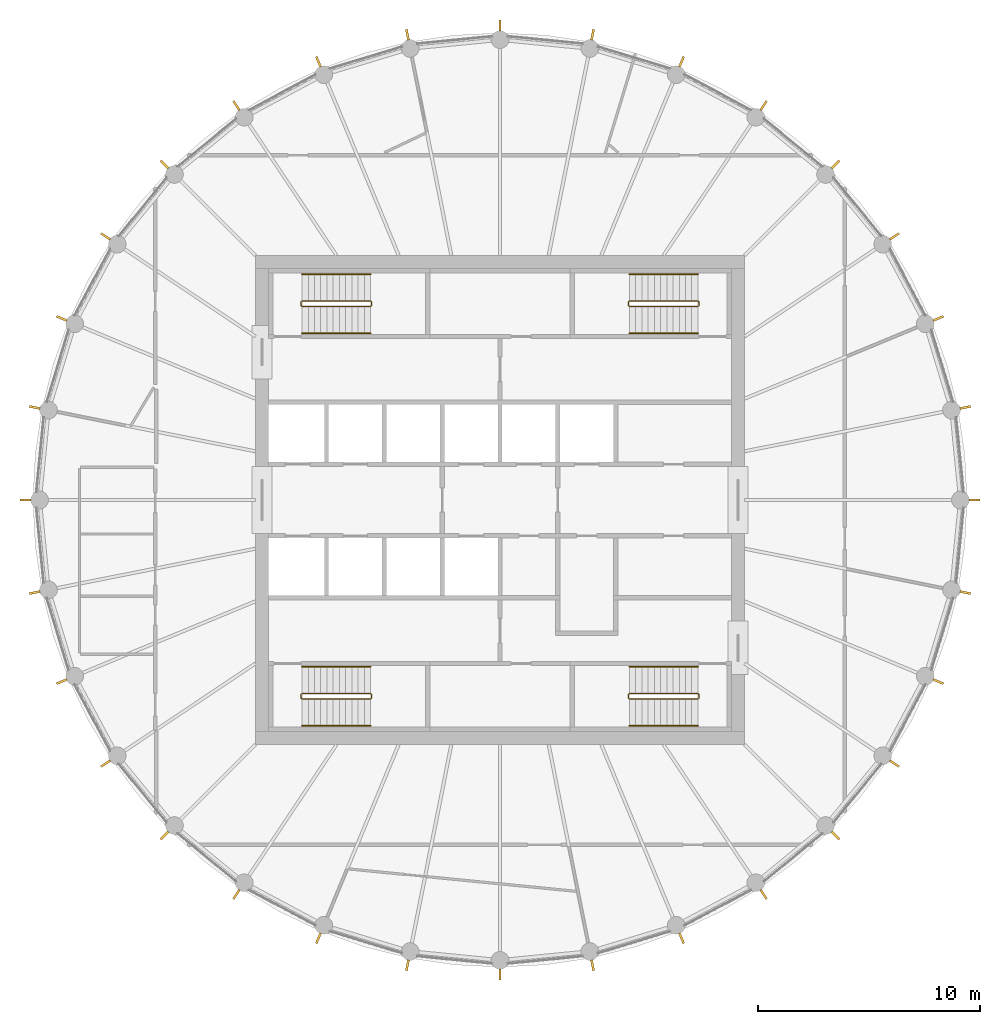
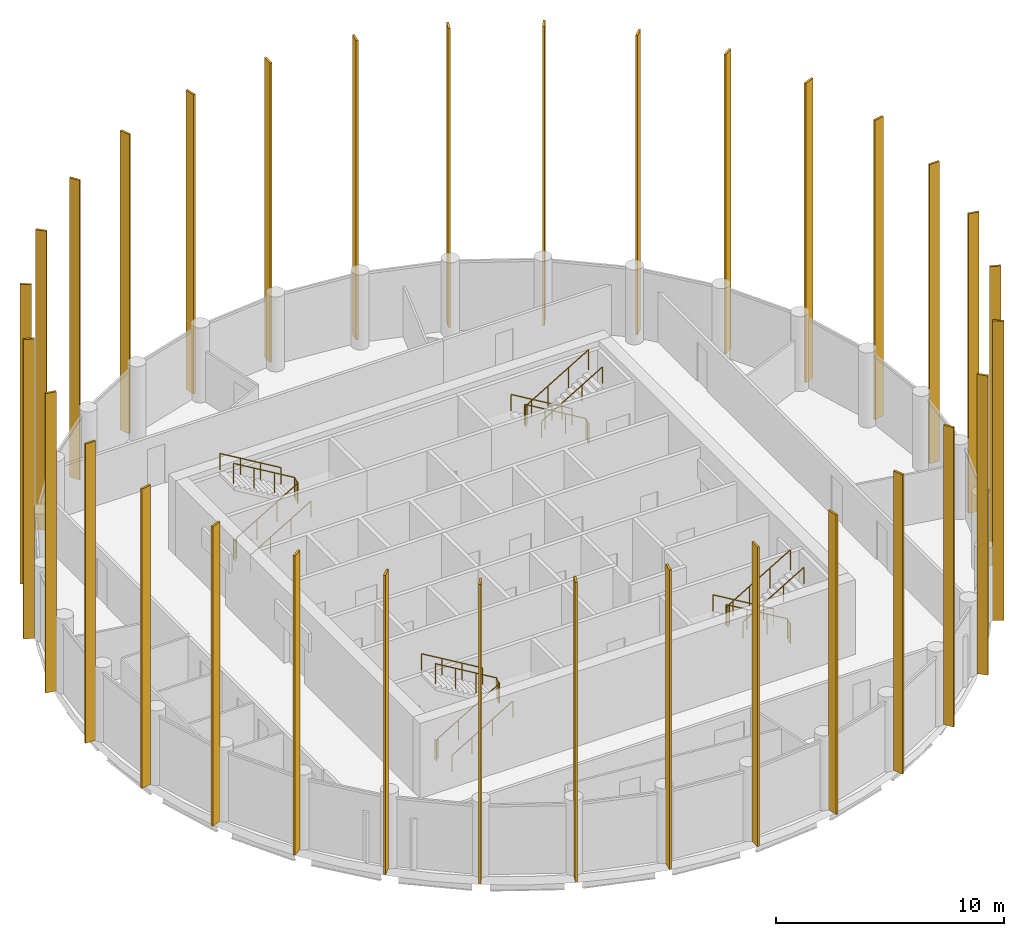
# One storey, part 7 of 7: 32 shading devices, 12 railings.
"""IFC4 building model written with IfcOpenShell, lengths in metres."""

from ifc_helpers import new_model, si_unit, direction, frame, origin, origin_2d, place, context, subcontext, project, spatial, rectangle, circle, extrude, material, material_profile, profile_set, type_object, element, save


model = new_model("IFC4")

# Units and contexts
model_context = context("Model", 3, precision=1e-05, world=origin(), true_north=direction((0.0, 1.0)))
body_context = subcontext(model_context, "Body", "Model", "MODEL_VIEW")
ifc_project = project(units=[si_unit("LENGTHUNIT", "METRE"), si_unit("AREAUNIT", "SQUARE_METRE"), si_unit("VOLUMEUNIT", "CUBIC_METRE"), si_unit("PLANEANGLEUNIT", "RADIAN"), si_unit("MASSUNIT", "GRAM", prefix="KILO")], contexts=[model_context])

# Site, building, storey
site_placement = place(None, origin())
site = spatial("IfcSite", under=ifc_project, at=site_placement, CompositionType="ELEMENT")
building_placement = place(site_placement, origin())
building = spatial("IfcBuilding", under=site, at=building_placement, Name="Corvane Civic Tower", CompositionType="ELEMENT")
storey_placement = place(building_placement, frame((0.0, 0.0, 324.5)))
storey = spatial("IfcBuildingStorey", under=building, at=storey_placement, Name="L77", CompositionType="ELEMENT", Elevation=324.5)

# Railings
ifc_material_1 = material(Name="Steel ASTM A572 Gr 50", Category="steel")
railing_type_1 = type_object("IfcRailingType", Name="ST-GUARD-1100", PredefinedType="GUARDRAIL", material=ifc_material_1)
railing_1_placement = place(storey_placement, frame((8.949951171875, 8.75, 0.0)))
element("IfcRailing", 1, at=railing_1_placement, inside=storey, type_object=railing_type_1, Name="L77 ST1 stair guard 1", PredefinedType="GUARDRAIL", context=body_context, shape_type="SweptSolid", body=[
    extrude(circle(Radius=0.02392578125, at=origin_2d()), frame((0.0, 0.0, 1.076171875), z_axis=(0.0, 1.0, 0.0), x_axis=(-1.0, 0.0, 0.0)), (0.0, 0.0, 1.0), 0.14990234375),
    extrude(circle(Radius=0.02392578125, at=origin_2d()), frame((0.0, 0.14990234375, 1.076171875), z_axis=(-0.27628659633, 0.27628659633, 0.920506074601), x_axis=(-0.707106781187, -0.707106781187, 0.0)), (0.0, 0.0, 1.0), 0.18115234375),
    extrude(circle(Radius=0.02392578125, at=origin_2d()), frame((-0.050048828125, 0.199951171875, 1.24267578125), z_axis=(-0.859290745958, 0.0, 0.51148745235), x_axis=(0.0, -1.0, 0.0)), (0.0, 0.0, 1.0), 3.584228515625),
    extrude(circle(Radius=0.02392578125, at=origin_2d()), frame((-3.1298828125, 0.199951171875, 3.076171875), z_axis=(-0.707106781187, -0.707106781187, 0.0), x_axis=(0.707106781187, -0.707106781187, 0.0)), (0.0, 0.0, 1.0), 0.07080078125),
    extrude(circle(Radius=0.02392578125, at=origin_2d()), frame((-3.179931640625, 0.14990234375, 3.076171875), z_axis=(0.0, -1.0, 0.0), x_axis=(1.0, 0.0, 0.0)), (0.0, 0.0, 1.0), 0.14990234375),
    extrude(circle(Radius=0.02392578125, at=origin_2d()), frame((-3.179931640625, 0.0, 3.076171875), z_axis=(0.27628659633, -0.27628659633, 0.920506074601), x_axis=(0.707106781187, 0.707106781187, 0.0)), (0.0, 0.0, 1.0), 0.18115234375),
    extrude(circle(Radius=0.02392578125, at=origin_2d()), frame((-3.1298828125, -0.050048828125, 3.24267578125), z_axis=(0.859290745958, 0.0, 0.51148745235), x_axis=(0.0, 1.0, 0.0)), (0.0, 0.0, 1.0), 3.584228515625),
    extrude(circle(Radius=0.02099609375, at=origin_2d()), origin(), (0.0, 0.0, 1.0), 1.052001953125),
    extrude(circle(Radius=0.02099609375, at=origin_2d()), frame((0.0, 0.14990234375, 0.0)), (0.0, 0.0, 1.0), 1.052001953125),
    extrude(circle(Radius=0.02099609375, at=origin_2d()), frame((-0.050048828125, 0.199951171875, 0.166748046875)), (0.0, 0.0, 1.0), 1.052001953125),
    extrude(circle(Radius=0.02099609375, at=origin_2d()), frame((-1.07666015625, 0.199951171875, 0.77783203125)), (0.0, 0.0, 1.0), 1.052001953125),
    extrude(circle(Radius=0.02099609375, at=origin_2d()), frame((-2.103271484375, 0.199951171875, 1.388916015625)), (0.0, 0.0, 1.0), 1.052001953125),
    extrude(circle(Radius=0.02099609375, at=origin_2d()), frame((-3.1298828125, 0.199951171875, 2.0)), (0.0, 0.0, 1.0), 1.052001953125),
    extrude(circle(Radius=0.02099609375, at=origin_2d()), frame((-3.179931640625, 0.14990234375, 2.0)), (0.0, 0.0, 1.0), 1.052001953125),
    extrude(circle(Radius=0.02099609375, at=origin_2d()), frame((-3.179931640625, 0.0, 2.0)), (0.0, 0.0, 1.0), 1.052001953125),
    extrude(circle(Radius=0.02099609375, at=origin_2d()), frame((-3.1298828125, -0.050048828125, 2.166748046875)), (0.0, 0.0, 1.0), 1.052001953125),
    extrude(circle(Radius=0.02099609375, at=origin_2d()), frame((-2.103271484375, -0.050048828125, 2.77783203125)), (0.0, 0.0, 1.0), 1.052001953125),
    extrude(circle(Radius=0.02099609375, at=origin_2d()), frame((-1.07666015625, -0.050048828125, 3.388916015625)), (0.0, 0.0, 1.0), 1.052001953125),
    extrude(circle(Radius=0.02099609375, at=origin_2d()), frame((-0.050048828125, -0.050048828125, 4.0)), (0.0, 0.0, 1.0), 1.052001953125),
])
railing_2_placement = place(storey_placement, frame((8.949951171875, -8.89990234375, 0.0)))
element("IfcRailing", 2, at=railing_2_placement, inside=storey, type_object=railing_type_1, Name="L77 ST2 stair guard 1", PredefinedType="GUARDRAIL", context=body_context, shape_type="SweptSolid", body=[
    extrude(circle(Radius=0.02392578125, at=origin_2d()), frame((0.0, 0.0, 1.076171875), z_axis=(0.0, 1.0, 0.0), x_axis=(-1.0, 0.0, 0.0)), (0.0, 0.0, 1.0), 0.14990234375),
    extrude(circle(Radius=0.02392578125, at=origin_2d()), frame((0.0, 0.14990234375, 1.076171875), z_axis=(-0.27628659633, 0.27628659633, 0.920506074601), x_axis=(-0.707106781187, -0.707106781187, 0.0)), (0.0, 0.0, 1.0), 0.18115234375),
    extrude(circle(Radius=0.02392578125, at=origin_2d()), frame((-0.050048828125, 0.199951171875, 1.24267578125), z_axis=(-0.859290745958, 0.0, 0.51148745235), x_axis=(0.0, -1.0, 0.0)), (0.0, 0.0, 1.0), 3.584228515625),
    extrude(circle(Radius=0.02392578125, at=origin_2d()), frame((-3.1298828125, 0.199951171875, 3.076171875), z_axis=(-0.707106781187, -0.707106781187, 0.0), x_axis=(0.707106781187, -0.707106781187, 0.0)), (0.0, 0.0, 1.0), 0.07080078125),
    extrude(circle(Radius=0.02392578125, at=origin_2d()), frame((-3.179931640625, 0.14990234375, 3.076171875), z_axis=(0.0, -1.0, 0.0), x_axis=(1.0, 0.0, 0.0)), (0.0, 0.0, 1.0), 0.14990234375),
    extrude(circle(Radius=0.02392578125, at=origin_2d()), frame((-3.179931640625, 0.0, 3.076171875), z_axis=(0.27628659633, -0.27628659633, 0.920506074601), x_axis=(0.707106781187, 0.707106781187, 0.0)), (0.0, 0.0, 1.0), 0.18115234375),
    extrude(circle(Radius=0.02392578125, at=origin_2d()), frame((-3.1298828125, -0.050048828125, 3.24267578125), z_axis=(0.859290745958, 0.0, 0.51148745235), x_axis=(0.0, 1.0, 0.0)), (0.0, 0.0, 1.0), 3.584228515625),
    extrude(circle(Radius=0.02099609375, at=origin_2d()), origin(), (0.0, 0.0, 1.0), 1.052001953125),
    extrude(circle(Radius=0.02099609375, at=origin_2d()), frame((0.0, 0.14990234375, 0.0)), (0.0, 0.0, 1.0), 1.052001953125),
    extrude(circle(Radius=0.02099609375, at=origin_2d()), frame((-0.050048828125, 0.199951171875, 0.166748046875)), (0.0, 0.0, 1.0), 1.052001953125),
    extrude(circle(Radius=0.02099609375, at=origin_2d()), frame((-1.07666015625, 0.199951171875, 0.77783203125)), (0.0, 0.0, 1.0), 1.052001953125),
    extrude(circle(Radius=0.02099609375, at=origin_2d()), frame((-2.103271484375, 0.199951171875, 1.388916015625)), (0.0, 0.0, 1.0), 1.052001953125),
    extrude(circle(Radius=0.02099609375, at=origin_2d()), frame((-3.1298828125, 0.199951171875, 2.0)), (0.0, 0.0, 1.0), 1.052001953125),
    extrude(circle(Radius=0.02099609375, at=origin_2d()), frame((-3.179931640625, 0.14990234375, 2.0)), (0.0, 0.0, 1.0), 1.052001953125),
    extrude(circle(Radius=0.02099609375, at=origin_2d()), frame((-3.179931640625, 0.0, 2.0)), (0.0, 0.0, 1.0), 1.052001953125),
    extrude(circle(Radius=0.02099609375, at=origin_2d()), frame((-3.1298828125, -0.050048828125, 2.166748046875)), (0.0, 0.0, 1.0), 1.052001953125),
    extrude(circle(Radius=0.02099609375, at=origin_2d()), frame((-2.103271484375, -0.050048828125, 2.77783203125)), (0.0, 0.0, 1.0), 1.052001953125),
    extrude(circle(Radius=0.02099609375, at=origin_2d()), frame((-1.07666015625, -0.050048828125, 3.388916015625)), (0.0, 0.0, 1.0), 1.052001953125),
    extrude(circle(Radius=0.02099609375, at=origin_2d()), frame((-0.050048828125, -0.050048828125, 4.0)), (0.0, 0.0, 1.0), 1.052001953125),
])
railing_3_placement = place(storey_placement, frame((-8.949951171875, -8.75, 0.0)))
element("IfcRailing", 3, at=railing_3_placement, inside=storey, type_object=railing_type_1, Name="L77 ST3 stair guard 1", PredefinedType="GUARDRAIL", context=body_context, shape_type="SweptSolid", body=[
    extrude(circle(Radius=0.02392578125, at=origin_2d()), frame((0.0, 0.0, 1.076171875), z_axis=(0.0, -1.0, 0.0), x_axis=(1.0, 0.0, 0.0)), (0.0, 0.0, 1.0), 0.14990234375),
    extrude(circle(Radius=0.02392578125, at=origin_2d()), frame((0.0, -0.14990234375, 1.076171875), z_axis=(0.27628659633, -0.27628659633, 0.920506074601), x_axis=(0.707106781187, 0.707106781187, 0.0)), (0.0, 0.0, 1.0), 0.18115234375),
    extrude(circle(Radius=0.02392578125, at=origin_2d()), frame((0.050048828125, -0.199951171875, 1.24267578125), z_axis=(0.859290745958, 0.0, 0.51148745235), x_axis=(0.0, 1.0, 0.0)), (0.0, 0.0, 1.0), 3.584228515625),
    extrude(circle(Radius=0.02392578125, at=origin_2d()), frame((3.1298828125, -0.199951171875, 3.076171875), z_axis=(0.707106781187, 0.707106781187, 0.0), x_axis=(-0.707106781187, 0.707106781187, 0.0)), (0.0, 0.0, 1.0), 0.07080078125),
    extrude(circle(Radius=0.02392578125, at=origin_2d()), frame((3.179931640625, -0.14990234375, 3.076171875), z_axis=(0.0, 1.0, 0.0), x_axis=(-1.0, 0.0, 0.0)), (0.0, 0.0, 1.0), 0.14990234375),
    extrude(circle(Radius=0.02392578125, at=origin_2d()), frame((3.179931640625, 0.0, 3.076171875), z_axis=(-0.27628659633, 0.27628659633, 0.920506074601), x_axis=(-0.707106781187, -0.707106781187, 0.0)), (0.0, 0.0, 1.0), 0.18115234375),
    extrude(circle(Radius=0.02392578125, at=origin_2d()), frame((3.1298828125, 0.050048828125, 3.24267578125), z_axis=(-0.859290745958, 0.0, 0.51148745235), x_axis=(0.0, -1.0, 0.0)), (0.0, 0.0, 1.0), 3.584228515625),
    extrude(circle(Radius=0.02099609375, at=origin_2d()), origin(), (0.0, 0.0, 1.0), 1.052001953125),
    extrude(circle(Radius=0.02099609375, at=origin_2d()), frame((0.0, -0.14990234375, 0.0)), (0.0, 0.0, 1.0), 1.052001953125),
    extrude(circle(Radius=0.02099609375, at=origin_2d()), frame((0.050048828125, -0.199951171875, 0.166748046875)), (0.0, 0.0, 1.0), 1.052001953125),
    extrude(circle(Radius=0.02099609375, at=origin_2d()), frame((1.07666015625, -0.199951171875, 0.77783203125)), (0.0, 0.0, 1.0), 1.052001953125),
    extrude(circle(Radius=0.02099609375, at=origin_2d()), frame((2.103271484375, -0.199951171875, 1.388916015625)), (0.0, 0.0, 1.0), 1.052001953125),
    extrude(circle(Radius=0.02099609375, at=origin_2d()), frame((3.1298828125, -0.199951171875, 2.0)), (0.0, 0.0, 1.0), 1.052001953125),
    extrude(circle(Radius=0.02099609375, at=origin_2d()), frame((3.179931640625, -0.14990234375, 2.0)), (0.0, 0.0, 1.0), 1.052001953125),
    extrude(circle(Radius=0.02099609375, at=origin_2d()), frame((3.179931640625, 0.0, 2.0)), (0.0, 0.0, 1.0), 1.052001953125),
    extrude(circle(Radius=0.02099609375, at=origin_2d()), frame((3.1298828125, 0.050048828125, 2.166748046875)), (0.0, 0.0, 1.0), 1.052001953125),
    extrude(circle(Radius=0.02099609375, at=origin_2d()), frame((2.103271484375, 0.050048828125, 2.77783203125)), (0.0, 0.0, 1.0), 1.052001953125),
    extrude(circle(Radius=0.02099609375, at=origin_2d()), frame((1.07666015625, 0.050048828125, 3.388916015625)), (0.0, 0.0, 1.0), 1.052001953125),
    extrude(circle(Radius=0.02099609375, at=origin_2d()), frame((0.050048828125, 0.050048828125, 4.0)), (0.0, 0.0, 1.0), 1.052001953125),
])
railing_4_placement = place(storey_placement, frame((-8.949951171875, 8.89990234375, 0.0)))
element("IfcRailing", 4, at=railing_4_placement, inside=storey, type_object=railing_type_1, Name="L77 ST4 stair guard 1", PredefinedType="GUARDRAIL", context=body_context, shape_type="SweptSolid", body=[
    extrude(circle(Radius=0.02392578125, at=origin_2d()), frame((0.0, 0.0, 1.076171875), z_axis=(0.0, -1.0, 0.0), x_axis=(1.0, 0.0, 0.0)), (0.0, 0.0, 1.0), 0.14990234375),
    extrude(circle(Radius=0.02392578125, at=origin_2d()), frame((0.0, -0.14990234375, 1.076171875), z_axis=(0.27628659633, -0.27628659633, 0.920506074601), x_axis=(0.707106781187, 0.707106781187, 0.0)), (0.0, 0.0, 1.0), 0.18115234375),
    extrude(circle(Radius=0.02392578125, at=origin_2d()), frame((0.050048828125, -0.199951171875, 1.24267578125), z_axis=(0.859290745958, 0.0, 0.51148745235), x_axis=(0.0, 1.0, 0.0)), (0.0, 0.0, 1.0), 3.584228515625),
    extrude(circle(Radius=0.02392578125, at=origin_2d()), frame((3.1298828125, -0.199951171875, 3.076171875), z_axis=(0.707106781187, 0.707106781187, 0.0), x_axis=(-0.707106781187, 0.707106781187, 0.0)), (0.0, 0.0, 1.0), 0.07080078125),
    extrude(circle(Radius=0.02392578125, at=origin_2d()), frame((3.179931640625, -0.14990234375, 3.076171875), z_axis=(0.0, 1.0, 0.0), x_axis=(-1.0, 0.0, 0.0)), (0.0, 0.0, 1.0), 0.14990234375),
    extrude(circle(Radius=0.02392578125, at=origin_2d()), frame((3.179931640625, 0.0, 3.076171875), z_axis=(-0.27628659633, 0.27628659633, 0.920506074601), x_axis=(-0.707106781187, -0.707106781187, 0.0)), (0.0, 0.0, 1.0), 0.18115234375),
    extrude(circle(Radius=0.02392578125, at=origin_2d()), frame((3.1298828125, 0.050048828125, 3.24267578125), z_axis=(-0.859290745958, 0.0, 0.51148745235), x_axis=(0.0, -1.0, 0.0)), (0.0, 0.0, 1.0), 3.584228515625),
    extrude(circle(Radius=0.02099609375, at=origin_2d()), origin(), (0.0, 0.0, 1.0), 1.052001953125),
    extrude(circle(Radius=0.02099609375, at=origin_2d()), frame((0.0, -0.14990234375, 0.0)), (0.0, 0.0, 1.0), 1.052001953125),
    extrude(circle(Radius=0.02099609375, at=origin_2d()), frame((0.050048828125, -0.199951171875, 0.166748046875)), (0.0, 0.0, 1.0), 1.052001953125),
    extrude(circle(Radius=0.02099609375, at=origin_2d()), frame((1.07666015625, -0.199951171875, 0.77783203125)), (0.0, 0.0, 1.0), 1.052001953125),
    extrude(circle(Radius=0.02099609375, at=origin_2d()), frame((2.103271484375, -0.199951171875, 1.388916015625)), (0.0, 0.0, 1.0), 1.052001953125),
    extrude(circle(Radius=0.02099609375, at=origin_2d()), frame((3.1298828125, -0.199951171875, 2.0)), (0.0, 0.0, 1.0), 1.052001953125),
    extrude(circle(Radius=0.02099609375, at=origin_2d()), frame((3.179931640625, -0.14990234375, 2.0)), (0.0, 0.0, 1.0), 1.052001953125),
    extrude(circle(Radius=0.02099609375, at=origin_2d()), frame((3.179931640625, 0.0, 2.0)), (0.0, 0.0, 1.0), 1.052001953125),
    extrude(circle(Radius=0.02099609375, at=origin_2d()), frame((3.1298828125, 0.050048828125, 2.166748046875)), (0.0, 0.0, 1.0), 1.052001953125),
    extrude(circle(Radius=0.02099609375, at=origin_2d()), frame((2.103271484375, 0.050048828125, 2.77783203125)), (0.0, 0.0, 1.0), 1.052001953125),
    extrude(circle(Radius=0.02099609375, at=origin_2d()), frame((1.07666015625, 0.050048828125, 3.388916015625)), (0.0, 0.0, 1.0), 1.052001953125),
    extrude(circle(Radius=0.02099609375, at=origin_2d()), frame((0.050048828125, 0.050048828125, 4.0)), (0.0, 0.0, 1.0), 1.052001953125),
])
ifc_material_2 = material(Name="Steel ASTM A572 Gr 50", Category="steel")
railing_type_2 = type_object("IfcRailingType", Name="ST-HANDRAIL-900", PredefinedType="HANDRAIL", material=ifc_material_2)
railing_5_placement = place(storey_placement, frame((8.89990234375, 10.14990234375, 0.166748046875)))
element("IfcRailing", 5, at=railing_5_placement, inside=storey, type_object=railing_type_2, Name="L77 ST1 stair handrail 1", PredefinedType="HANDRAIL", context=body_context, shape_type="SweptSolid", body=[
    extrude(circle(Radius=0.02392578125, at=origin_2d()), frame((0.0, 0.0, 0.8759765625), z_axis=(-0.859290745958, 0.0, 0.51148745235), x_axis=(0.0, -1.0, 0.0)), (0.0, 0.0, 1.0), 3.584228515625),
    extrude(circle(Radius=0.02099609375, at=origin_2d()), origin(), (0.0, 0.0, 1.0), 0.851806640625),
    extrude(circle(Radius=0.02099609375, at=origin_2d()), frame((-1.026611328125, 0.0, 0.611083984375)), (0.0, 0.0, 1.0), 0.851806640625),
    extrude(circle(Radius=0.02099609375, at=origin_2d()), frame((-2.05322265625, 0.0, 1.22216796875)), (0.0, 0.0, 1.0), 0.851806640625),
    extrude(circle(Radius=0.02099609375, at=origin_2d()), frame((-3.079833984375, 0.0, 1.833251953125)), (0.0, 0.0, 1.0), 0.851806640625),
])
railing_6_placement = place(storey_placement, frame((5.820068359375, 7.5, 2.166748046875)))
element("IfcRailing", 6, at=railing_6_placement, inside=storey, type_object=railing_type_2, Name="L77 ST1 stair handrail 2", PredefinedType="HANDRAIL", context=body_context, shape_type="SweptSolid", body=[
    extrude(circle(Radius=0.02392578125, at=origin_2d()), frame((0.0, 0.0, 0.8759765625), z_axis=(0.859290745958, 0.0, 0.51148745235), x_axis=(0.0, 1.0, 0.0)), (0.0, 0.0, 1.0), 3.584228515625),
    extrude(circle(Radius=0.02099609375, at=origin_2d()), origin(), (0.0, 0.0, 1.0), 0.851806640625),
    extrude(circle(Radius=0.02099609375, at=origin_2d()), frame((1.026611328125, 0.0, 0.611083984375)), (0.0, 0.0, 1.0), 0.851806640625),
    extrude(circle(Radius=0.02099609375, at=origin_2d()), frame((2.05322265625, 0.0, 1.22216796875)), (0.0, 0.0, 1.0), 0.851806640625),
    extrude(circle(Radius=0.02099609375, at=origin_2d()), frame((3.079833984375, 0.0, 1.833251953125)), (0.0, 0.0, 1.0), 0.851806640625),
])
railing_7_placement = place(storey_placement, frame((8.89990234375, -7.5, 0.166748046875)))
element("IfcRailing", 7, at=railing_7_placement, inside=storey, type_object=railing_type_2, Name="L77 ST2 stair handrail 1", PredefinedType="HANDRAIL", context=body_context, shape_type="SweptSolid", body=[
    extrude(circle(Radius=0.02392578125, at=origin_2d()), frame((0.0, 0.0, 0.8759765625), z_axis=(-0.859290745958, 0.0, 0.51148745235), x_axis=(0.0, -1.0, 0.0)), (0.0, 0.0, 1.0), 3.584228515625),
    extrude(circle(Radius=0.02099609375, at=origin_2d()), origin(), (0.0, 0.0, 1.0), 0.851806640625),
    extrude(circle(Radius=0.02099609375, at=origin_2d()), frame((-1.026611328125, 0.0, 0.611083984375)), (0.0, 0.0, 1.0), 0.851806640625),
    extrude(circle(Radius=0.02099609375, at=origin_2d()), frame((-2.05322265625, 0.0, 1.22216796875)), (0.0, 0.0, 1.0), 0.851806640625),
    extrude(circle(Radius=0.02099609375, at=origin_2d()), frame((-3.079833984375, 0.0, 1.833251953125)), (0.0, 0.0, 1.0), 0.851806640625),
])
for number, where, name in (
    (8, (5.820068359375, -10.14990234375, 2.166748046875), "L77 ST2 stair handrail 2"),
    (9, (-8.89990234375, -10.14990234375, 0.166748046875), "L77 ST3 stair handrail 1"),
):
    element("IfcRailing", number, at=place(storey_placement, frame(where)), inside=storey, type_object=railing_type_2, Name=name, PredefinedType="HANDRAIL", context=body_context, shape_type="SweptSolid", body=[
        extrude(circle(Radius=0.02392578125, at=origin_2d()), frame((0.0, 0.0, 0.8759765625), z_axis=(0.859290745958, 0.0, 0.51148745235), x_axis=(0.0, 1.0, 0.0)), (0.0, 0.0, 1.0), 3.584228515625),
        extrude(circle(Radius=0.02099609375, at=origin_2d()), origin(), (0.0, 0.0, 1.0), 0.851806640625),
        extrude(circle(Radius=0.02099609375, at=origin_2d()), frame((1.026611328125, 0.0, 0.611083984375)), (0.0, 0.0, 1.0), 0.851806640625),
        extrude(circle(Radius=0.02099609375, at=origin_2d()), frame((2.05322265625, 0.0, 1.22216796875)), (0.0, 0.0, 1.0), 0.851806640625),
        extrude(circle(Radius=0.02099609375, at=origin_2d()), frame((3.079833984375, 0.0, 1.833251953125)), (0.0, 0.0, 1.0), 0.851806640625),
    ])
railing_8_placement = place(storey_placement, frame((-5.820068359375, -7.5, 2.166748046875)))
element("IfcRailing", 10, at=railing_8_placement, inside=storey, type_object=railing_type_2, Name="L77 ST3 stair handrail 2", PredefinedType="HANDRAIL", context=body_context, shape_type="SweptSolid", body=[
    extrude(circle(Radius=0.02392578125, at=origin_2d()), frame((0.0, 0.0, 0.8759765625), z_axis=(-0.859290745958, 0.0, 0.51148745235), x_axis=(0.0, -1.0, 0.0)), (0.0, 0.0, 1.0), 3.584228515625),
    extrude(circle(Radius=0.02099609375, at=origin_2d()), origin(), (0.0, 0.0, 1.0), 0.851806640625),
    extrude(circle(Radius=0.02099609375, at=origin_2d()), frame((-1.026611328125, 0.0, 0.611083984375)), (0.0, 0.0, 1.0), 0.851806640625),
    extrude(circle(Radius=0.02099609375, at=origin_2d()), frame((-2.05322265625, 0.0, 1.22216796875)), (0.0, 0.0, 1.0), 0.851806640625),
    extrude(circle(Radius=0.02099609375, at=origin_2d()), frame((-3.079833984375, 0.0, 1.833251953125)), (0.0, 0.0, 1.0), 0.851806640625),
])
railing_9_placement = place(storey_placement, frame((-8.89990234375, 7.5, 0.166748046875)))
element("IfcRailing", 11, at=railing_9_placement, inside=storey, type_object=railing_type_2, Name="L77 ST4 stair handrail 1", PredefinedType="HANDRAIL", context=body_context, shape_type="SweptSolid", body=[
    extrude(circle(Radius=0.02392578125, at=origin_2d()), frame((0.0, 0.0, 0.8759765625), z_axis=(0.859290745958, 0.0, 0.51148745235), x_axis=(0.0, 1.0, 0.0)), (0.0, 0.0, 1.0), 3.584228515625),
    extrude(circle(Radius=0.02099609375, at=origin_2d()), origin(), (0.0, 0.0, 1.0), 0.851806640625),
    extrude(circle(Radius=0.02099609375, at=origin_2d()), frame((1.026611328125, 0.0, 0.611083984375)), (0.0, 0.0, 1.0), 0.851806640625),
    extrude(circle(Radius=0.02099609375, at=origin_2d()), frame((2.05322265625, 0.0, 1.22216796875)), (0.0, 0.0, 1.0), 0.851806640625),
    extrude(circle(Radius=0.02099609375, at=origin_2d()), frame((3.079833984375, 0.0, 1.833251953125)), (0.0, 0.0, 1.0), 0.851806640625),
])
railing_10_placement = place(storey_placement, frame((-5.820068359375, 10.14990234375, 2.166748046875)))
element("IfcRailing", 12, at=railing_10_placement, inside=storey, type_object=railing_type_2, Name="L77 ST4 stair handrail 2", PredefinedType="HANDRAIL", context=body_context, shape_type="SweptSolid", body=[
    extrude(circle(Radius=0.02392578125, at=origin_2d()), frame((0.0, 0.0, 0.8759765625), z_axis=(-0.859290745958, 0.0, 0.51148745235), x_axis=(0.0, -1.0, 0.0)), (0.0, 0.0, 1.0), 3.584228515625),
    extrude(circle(Radius=0.02099609375, at=origin_2d()), origin(), (0.0, 0.0, 1.0), 0.851806640625),
    extrude(circle(Radius=0.02099609375, at=origin_2d()), frame((-1.026611328125, 0.0, 0.611083984375)), (0.0, 0.0, 1.0), 0.851806640625),
    extrude(circle(Radius=0.02099609375, at=origin_2d()), frame((-2.05322265625, 0.0, 1.22216796875)), (0.0, 0.0, 1.0), 0.851806640625),
    extrude(circle(Radius=0.02099609375, at=origin_2d()), frame((-3.079833984375, 0.0, 1.833251953125)), (0.0, 0.0, 1.0), 0.851806640625),
])

# Shading devices
ifc_material_3 = material(Name="Anodised aluminium bronze", Category="aluminium")
ifc_material_profile = material_profile(ifc_material_3, rectangle(XDim=0.10009765625, YDim=0.5, at=origin_2d()), Name="TOWER FIN STACK 100x500 BRONZE")
ifc_profile_set = profile_set([ifc_material_profile], Name="Anodised aluminium bronze")
shading_device_type = type_object("IfcShadingDeviceType", Name="TOWER FIN STACK 100x500 BRONZE", PredefinedType="USERDEFINED", material=ifc_profile_set)
for number, where, z_axis, x_axis, name in (
    (13, (0.0, 21.330078125, 0.0), (0.0, 0.0, 1.0), (1.0, 0.0, 0.0), "Fin 01 L77 to L80"),
    (14, (4.161376953125, 20.920166015625, 0.0), (0.0, 0.0, 1.0), (0.980785280403, -0.195090322016, 0.0), "Fin 02 L77 to L80"),
    (15, (8.16259765625, 19.706298828125, 0.0), (0.0, 0.0, 1.0), (0.923879532511, -0.382683432365, 0.0), "Fin 03 L77 to L80"),
    (16, (11.850341796875, 17.7353515625, 0.0), (0.0, 0.0, 1.0), (0.831469612303, -0.55557023302, 0.0), "Fin 04 L77 to L80"),
    (17, (15.08251953125, 15.08251953125, 0.0), (0.0, 0.0, 1.0), (0.707106781187, -0.707106781187, 0.0), "Fin 05 L77 to L80"),
    (18, (17.7353515625, 11.850341796875, 0.0), (0.0, 0.0, 1.0), (0.55557023302, -0.831469612303, 0.0), "Fin 06 L77 to L80"),
    (19, (19.706298828125, 8.16259765625, 0.0), (0.0, 0.0, 1.0), (0.382683432365, -0.923879532511, 0.0), "Fin 07 L77 to L80"),
    (20, (20.920166015625, 4.161376953125, 0.0), (0.0, 0.0, 1.0), (0.195090322016, -0.980785280403, 0.0), "Fin 08 L77 to L80"),
    (21, (21.330078125, 0.0, 0.0), (0.0, 0.0, 1.0), (0.0, -1.0, 0.0), "Fin 09 L77 to L80"),
    (22, (20.920166015625, -4.161376953125, 0.0), (0.0, 0.0, 1.0), (-0.195090322016, -0.980785280403, 0.0), "Fin 10 L77 to L80"),
    (23, (19.706298828125, -8.16259765625, 0.0), (0.0, 0.0, 1.0), (-0.382683432365, -0.923879532511, 0.0), "Fin 11 L77 to L80"),
    (24, (17.7353515625, -11.850341796875, 0.0), (0.0, 0.0, 1.0), (-0.55557023302, -0.831469612303, 0.0), "Fin 12 L77 to L80"),
    (25, (15.08251953125, -15.08251953125, 0.0), (0.0, 0.0, 1.0), (-0.707106781187, -0.707106781187, 0.0), "Fin 13 L77 to L80"),
    (26, (11.850341796875, -17.7353515625, 0.0), (0.0, 0.0, 1.0), (-0.831469612303, -0.55557023302, 0.0), "Fin 14 L77 to L80"),
    (27, (8.16259765625, -19.706298828125, 0.0), (0.0, 0.0, 1.0), (-0.923879532511, -0.382683432365, 0.0), "Fin 15 L77 to L80"),
    (28, (4.161376953125, -20.920166015625, 0.0), (0.0, 0.0, 1.0), (-0.980785280403, -0.195090322016, 0.0), "Fin 16 L77 to L80"),
    (29, (0.0, -21.330078125, 0.0), (0.0, 0.0, 1.0), (-1.0, 0.0, 0.0), "Fin 17 L77 to L80"),
    (30, (-4.161376953125, -20.920166015625, 0.0), (0.0, 0.0, 1.0), (-0.980785280403, 0.195090322016, 0.0), "Fin 18 L77 to L80"),
    (31, (-8.16259765625, -19.706298828125, 0.0), (0.0, 0.0, 1.0), (-0.923879532511, 0.382683432365, 0.0), "Fin 19 L77 to L80"),
    (32, (-11.850341796875, -17.7353515625, 0.0), (0.0, 0.0, 1.0), (-0.831469612303, 0.55557023302, 0.0), "Fin 20 L77 to L80"),
    (33, (-15.08251953125, -15.08251953125, 0.0), (0.0, 0.0, 1.0), (-0.707106781187, 0.707106781187, 0.0), "Fin 21 L77 to L80"),
    (34, (-17.7353515625, -11.850341796875, 0.0), (0.0, 0.0, 1.0), (-0.55557023302, 0.831469612303, 0.0), "Fin 22 L77 to L80"),
    (35, (-19.706298828125, -8.16259765625, 0.0), (0.0, 0.0, 1.0), (-0.382683432365, 0.923879532511, 0.0), "Fin 23 L77 to L80"),
    (36, (-20.920166015625, -4.161376953125, 0.0), (0.0, 0.0, 1.0), (-0.195090322016, 0.980785280403, 0.0), "Fin 24 L77 to L80"),
    (37, (-21.330078125, 0.0, 0.0), (0.0, 0.0, 1.0), (0.0, 1.0, 0.0), "Fin 25 L77 to L80"),
    (38, (-20.920166015625, 4.161376953125, 0.0), (0.0, 0.0, 1.0), (0.195090322016, 0.980785280403, 0.0), "Fin 26 L77 to L80"),
    (39, (-19.706298828125, 8.16259765625, 0.0), (0.0, 0.0, 1.0), (0.382683432365, 0.923879532511, 0.0), "Fin 27 L77 to L80"),
    (40, (-17.7353515625, 11.850341796875, 0.0), (0.0, 0.0, 1.0), (0.55557023302, 0.831469612303, 0.0), "Fin 28 L77 to L80"),
    (41, (-15.08251953125, 15.08251953125, 0.0), (0.0, 0.0, 1.0), (0.707106781187, 0.707106781187, 0.0), "Fin 29 L77 to L80"),
    (42, (-11.850341796875, 17.7353515625, 0.0), (0.0, 0.0, 1.0), (0.831469612303, 0.55557023302, 0.0), "Fin 30 L77 to L80"),
    (43, (-8.16259765625, 19.706298828125, 0.0), (0.0, 0.0, 1.0), (0.923879532511, 0.382683432365, 0.0), "Fin 31 L77 to L80"),
    (44, (-4.161376953125, 20.920166015625, 0.0), (0.0, 0.0, 1.0), (0.980785280403, 0.195090322016, 0.0), "Fin 32 L77 to L80"),
):
    element("IfcShadingDevice", number, at=place(storey_placement, frame(where, z_axis=z_axis, x_axis=x_axis)), inside=storey, type_object=shading_device_type, Name=name, ObjectType="FIN", PredefinedType="USERDEFINED", context=body_context, shape_type="SweptSolid", body=[
        extrude(rectangle(XDim=0.10009765625, YDim=0.5, at=origin_2d()), origin(), (0.0, 0.0, 1.0), 16.0),
    ])

save(model, "model.ifc")
